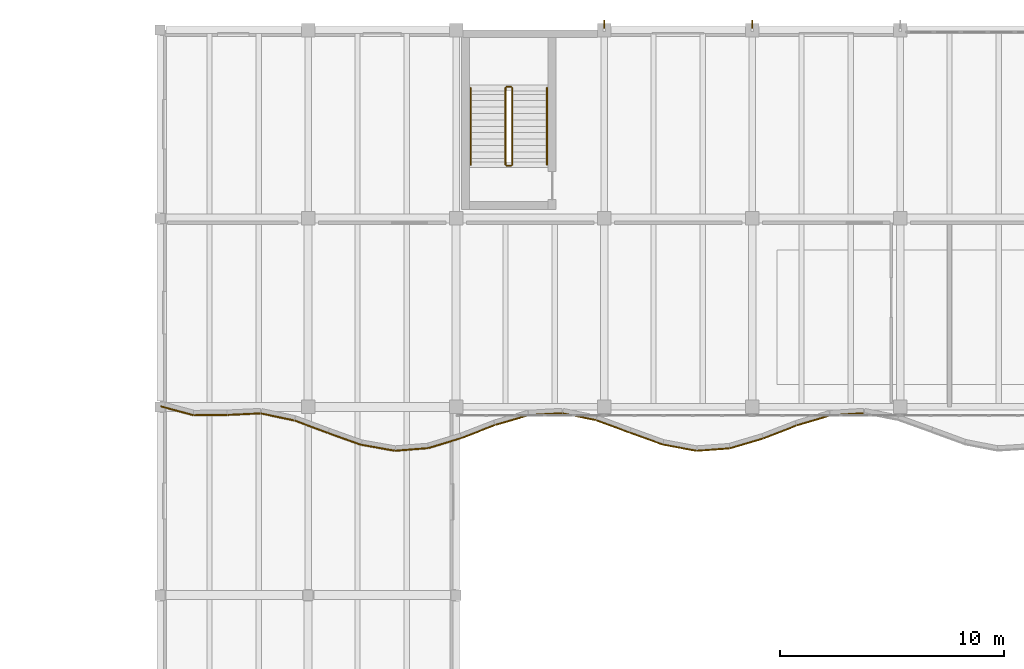
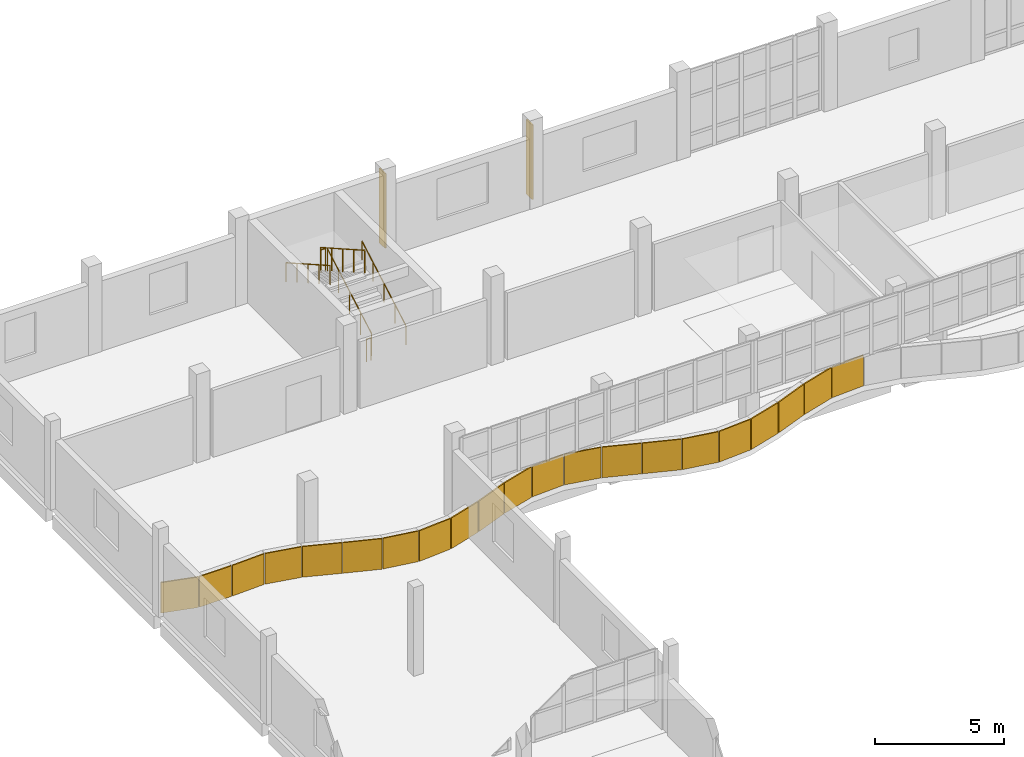
# One storey, part 67 of 74: 21 coverings, 6 railings, 2 shading devices.
"""IFC4 building model written with IfcOpenShell, lengths in metres."""

from ifc_helpers import new_model, si_unit, direction, frame, origin, origin_2d, place, context, subcontext, project, spatial, rectangle, circle, extrude, material, layer, layer_set, type_object, element, save


model = new_model("IFC4")

# Units and contexts
model_context = context("Model", 3, precision=1e-05, world=origin(), true_north=direction((0.0, 1.0)))
body_context = subcontext(model_context, "Body", "Model", "MODEL_VIEW")
ifc_project = project(units=[si_unit("LENGTHUNIT", "METRE"), si_unit("AREAUNIT", "SQUARE_METRE"), si_unit("VOLUMEUNIT", "CUBIC_METRE"), si_unit("PLANEANGLEUNIT", "RADIAN"), si_unit("MASSUNIT", "GRAM", prefix="KILO")], contexts=[model_context])

# Site, building, storey
site_placement = place(None, origin())
site = spatial("IfcSite", under=ifc_project, at=site_placement, CompositionType="ELEMENT")
building_placement = place(site_placement, origin())
building = spatial("IfcBuilding", under=site, at=building_placement, Name="Qaldarim Faculty of Natural and Applied Sciences", CompositionType="ELEMENT")
storey_placement = place(building_placement, frame((0.0, 0.0, 14.39990234375)))
storey = spatial("IfcBuildingStorey", under=building, at=storey_placement, Name="L03", CompositionType="ELEMENT", Elevation=14.39990234375)

# Railings
ifc_material_1 = material(Name="Architectural stainless steel 316", Category="steel")
railing_type_1 = type_object("IfcRailingType", Name="GuardBalustrade-1100", PredefinedType="BALUSTRADE", material=ifc_material_1)
railing_1_placement = place(storey_placement, frame((48.699951171875, 111.60009765625, 0.16015625)))
element("IfcRailing", 1, at=railing_1_placement, inside=storey, type_object=railing_type_1, Name="ST-B2 L03 stair well guard 1", PredefinedType="BALUSTRADE", context=body_context, shape_type="SweptSolid", body=[
    extrude(circle(Radius=0.02392578125, at=origin_2d()), frame((0.0, 0.0, 1.076171875), z_axis=(0.0, 0.869805479697, 0.493394798806), x_axis=(-1.0, 0.0, 0.0)), (0.0, 0.0, 1.0), 3.931884765625),
    extrude(circle(Radius=0.02099609375, at=origin_2d()), origin(), (0.0, 0.0, 1.0), 1.052001953125),
    extrude(circle(Radius=0.02099609375, at=origin_2d()), frame((0.0, 0.85498046875, 0.48486328125)), (0.0, 0.0, 1.0), 1.052001953125),
    extrude(circle(Radius=0.02099609375, at=origin_2d()), frame((0.0, 1.7099609375, 0.969970703125)), (0.0, 0.0, 1.0), 1.052001953125),
    extrude(circle(Radius=0.02099609375, at=origin_2d()), frame((0.0, 2.56494140625, 1.455078125)), (0.0, 0.0, 1.0), 1.052001953125),
    extrude(circle(Radius=0.02099609375, at=origin_2d()), frame((0.0, 3.419921875, 1.93994140625)), (0.0, 0.0, 1.0), 1.052001953125),
])
railing_2_placement = place(storey_placement, frame((48.64990234375, 115.070068359375, 2.10009765625)))
element("IfcRailing", 2, at=railing_2_placement, inside=storey, type_object=railing_type_1, Name="ST-B2 L03 stair well guard 2", PredefinedType="BALUSTRADE", context=body_context, shape_type="SweptSolid", body=[
    extrude(circle(Radius=0.02392578125, at=origin_2d()), frame((0.0, 0.0, 1.076171875), z_axis=(-1.0, 0.0, 0.0), x_axis=(0.0, -1.0, 0.0)), (0.0, 0.0, 1.0), 0.199951171875),
    extrude(circle(Radius=0.02099609375, at=origin_2d()), origin(), (0.0, 0.0, 1.0), 1.052001953125),
    extrude(circle(Radius=0.02099609375, at=origin_2d()), frame((-0.199951171875, 0.0, 0.0)), (0.0, 0.0, 1.0), 1.052001953125),
])
railing_3_placement = place(storey_placement, frame((48.39990234375, 115.02001953125, 2.260009765625)))
element("IfcRailing", 3, at=railing_3_placement, inside=storey, type_object=railing_type_1, Name="ST-B2 L03 stair well guard 3", PredefinedType="BALUSTRADE", context=body_context, shape_type="SweptSolid", body=[
    extrude(circle(Radius=0.02392578125, at=origin_2d()), frame((0.0, 0.0, 1.076171875), z_axis=(0.0, -0.869778831362, 0.493441774189), x_axis=(1.0, 0.0, 0.0)), (0.0, 0.0, 1.0), 3.931884765625),
    extrude(circle(Radius=0.02099609375, at=origin_2d()), origin(), (0.0, 0.0, 1.0), 1.052001953125),
    extrude(circle(Radius=0.02099609375, at=origin_2d()), frame((0.0, -0.85498046875, 0.485107421875)), (0.0, 0.0, 1.0), 1.052001953125),
    extrude(circle(Radius=0.02099609375, at=origin_2d()), frame((0.0, -1.7099609375, 0.97021484375)), (0.0, 0.0, 1.0), 1.052001953125),
    extrude(circle(Radius=0.02099609375, at=origin_2d()), frame((0.0, -2.56494140625, 1.455078125)), (0.0, 0.0, 1.0), 1.052001953125),
    extrude(circle(Radius=0.02099609375, at=origin_2d()), frame((0.0, -3.419921875, 1.940185546875)), (0.0, 0.0, 1.0), 1.052001953125),
])
railing_4_placement = place(storey_placement, frame((48.64990234375, 111.550048828125, 0.0)))
element("IfcRailing", 4, at=railing_4_placement, inside=storey, type_object=railing_type_1, Name="ST-B2 L03 stair well guard 4", PredefinedType="BALUSTRADE", context=body_context, shape_type="SweptSolid", body=[
    extrude(circle(Radius=0.02392578125, at=origin_2d()), frame((0.0, 0.0, 1.076171875), z_axis=(-1.0, 0.0, 0.0), x_axis=(0.0, -1.0, 0.0)), (0.0, 0.0, 1.0), 0.199951171875),
    extrude(circle(Radius=0.02099609375, at=origin_2d()), origin(), (0.0, 0.0, 1.0), 1.052001953125),
    extrude(circle(Radius=0.02099609375, at=origin_2d()), frame((-0.199951171875, 0.0, 0.0)), (0.0, 0.0, 1.0), 1.052001953125),
])

# Coverings
ifc_material_2 = material(Name="White architectural precast concrete C40/50", Category="concrete")
ifc_layer_1 = layer(ifc_material_2, 0.06005859375)
ifc_layer_set_1 = layer_set([ifc_layer_1], Name="White architectural precast concrete C40/50")
covering_type = type_object("IfcCoveringType", Name="LimestoneSpandrelCladding-60", PredefinedType="CLADDING", material=ifc_layer_set_1)
covering_1_placement = place(storey_placement, frame((33.7548828125, 100.625, 0.0), z_axis=(0.0, 0.0, 1.0), x_axis=(0.965208429888, -0.261481714224, 0.0)))
element("IfcCovering", 5, at=covering_1_placement, inside=storey, type_object=covering_type, Name="White limestone wave band fascia L03 chord 01", PredefinedType="CLADDING", context=body_context, shape_type="SweptSolid", body=[
    extrude(rectangle(XDim=1.510009765625, YDim=0.06005859375, at=origin_2d()), origin(), (0.0, 0.0, 1.0), 1.449951171875),
])
for number, where, z_axis, x_axis, name in (
    (6, (35.2451171875, 100.43505859375, 0.0), (0.0, 0.0, 1.0), (0.999949643355, 0.010035474745, 0.0), "White limestone wave band fascia L03 chord 02"),
    (7, (36.739990234375, 100.47509765625, 0.0), (0.0, 0.0, 1.0), (0.99890544113, 0.046775203699, 0.0), "White limestone wave band fascia L03 chord 03"),
):
    element("IfcCovering", number, at=place(storey_placement, frame(where, z_axis=z_axis, x_axis=x_axis)), inside=storey, type_object=covering_type, Name=name, PredefinedType="CLADDING", context=body_context, shape_type="SweptSolid", body=[
        extrude(rectangle(XDim=1.455078125, YDim=0.06005859375, at=origin_2d()), origin(), (0.0, 0.0, 1.0), 1.449951171875),
    ])
covering_2_placement = place(storey_placement, frame((38.235107421875, 100.35009765625, 0.0), z_axis=(0.0, 0.0, 1.0), x_axis=(0.978375620229, -0.206836035888, 0.0)))
element("IfcCovering", 8, at=covering_2_placement, inside=storey, type_object=covering_type, Name="White limestone wave band fascia L03 chord 04", PredefinedType="CLADDING", context=body_context, shape_type="SweptSolid", body=[
    extrude(rectangle(XDim=1.485107421875, YDim=0.06005859375, at=origin_2d()), origin(), (0.0, 0.0, 1.0), 1.449951171875),
])
covering_3_placement = place(storey_placement, frame((39.735107421875, 99.9150390625, 0.0), z_axis=(0.0, 0.0, 1.0), x_axis=(0.937482597106, -0.348032153864, 0.0)))
element("IfcCovering", 9, at=covering_3_placement, inside=storey, type_object=covering_type, Name="White limestone wave band fascia L03 chord 05", PredefinedType="CLADDING", context=body_context, shape_type="SweptSolid", body=[
    extrude(rectangle(XDim=1.554931640625, YDim=0.06005859375, at=origin_2d()), origin(), (0.0, 0.0, 1.0), 1.449951171875),
])
covering_4_placement = place(storey_placement, frame((41.22509765625, 99.3701171875, 0.0), z_axis=(0.0, 0.0, 1.0), x_axis=(0.941529364694, -0.336930935681, 0.0)))
element("IfcCovering", 10, at=covering_4_placement, inside=storey, type_object=covering_type, Name="White limestone wave band fascia L03 chord 06", PredefinedType="CLADDING", context=body_context, shape_type="SweptSolid", body=[
    extrude(rectangle(XDim=1.550048828125, YDim=0.06005859375, at=origin_2d()), origin(), (0.0, 0.0, 1.0), 1.449951171875),
])
covering_5_placement = place(storey_placement, frame((42.719970703125, 98.97509765625, 0.0), z_axis=(0.0, 0.0, 1.0), x_axis=(0.984649749361, -0.174541889194, 0.0)))
element("IfcCovering", 11, at=covering_5_placement, inside=storey, type_object=covering_type, Name="White limestone wave band fascia L03 chord 07", PredefinedType="CLADDING", context=body_context, shape_type="SweptSolid", body=[
    extrude(rectangle(XDim=1.47998046875, YDim=0.06005859375, at=origin_2d()), origin(), (0.0, 0.0, 1.0), 1.449951171875),
])
covering_6_placement = place(storey_placement, frame((44.205078125, 98.89990234375, 0.0), z_axis=(0.0, 0.0, 1.0), x_axis=(0.996794257174, 0.080007555045, 0.0)))
element("IfcCovering", 12, at=covering_6_placement, inside=storey, type_object=covering_type, Name="White limestone wave band fascia L03 chord 08", PredefinedType="CLADDING", context=body_context, shape_type="SweptSolid", body=[
    extrude(rectangle(XDim=1.4599609375, YDim=0.06005859375, at=origin_2d()), origin(), (0.0, 0.0, 1.0), 1.449951171875),
])
covering_7_placement = place(storey_placement, frame((45.695068359375, 99.18505859375, 0.0), z_axis=(0.0, 0.0, 1.0), x_axis=(0.956671405918, 0.291169746193, 0.0)))
element("IfcCovering", 13, at=covering_7_placement, inside=storey, type_object=covering_type, Name="White limestone wave band fascia L03 chord 09", PredefinedType="CLADDING", context=body_context, shape_type="SweptSolid", body=[
    extrude(rectangle(XDim=1.52490234375, YDim=0.06005859375, at=origin_2d()), origin(), (0.0, 0.0, 1.0), 1.449951171875),
])
covering_8_placement = place(storey_placement, frame((47.18505859375, 99.699951171875, 0.0), z_axis=(0.0, 0.0, 1.0), x_axis=(0.932298552786, 0.361689657681, 0.0)))
element("IfcCovering", 14, at=covering_8_placement, inside=storey, type_object=covering_type, Name="White limestone wave band fascia L03 chord 10", PredefinedType="CLADDING", context=body_context, shape_type="SweptSolid", body=[
    extrude(rectangle(XDim=1.56494140625, YDim=0.06005859375, at=origin_2d()), origin(), (0.0, 0.0, 1.0), 1.449951171875),
])
covering_9_placement = place(storey_placement, frame((48.68505859375, 100.2099609375, 0.0), z_axis=(0.0, 0.0, 1.0), x_axis=(0.9601816141, 0.279376570142, 0.0)))
element("IfcCovering", 15, at=covering_9_placement, inside=storey, type_object=covering_type, Name="White limestone wave band fascia L03 chord 11", PredefinedType="CLADDING", context=body_context, shape_type="SweptSolid", body=[
    extrude(rectangle(XDim=1.514892578125, YDim=0.06005859375, at=origin_2d()), origin(), (0.0, 0.0, 1.0), 1.449951171875),
])
covering_10_placement = place(storey_placement, frame((50.179931640625, 100.47509765625, 0.0), z_axis=(0.0, 0.0, 1.0), x_axis=(0.998376794206, 0.056954163946, 0.0)))
element("IfcCovering", 16, at=covering_10_placement, inside=storey, type_object=covering_type, Name="White limestone wave band fascia L03 chord 12", PredefinedType="CLADDING", context=body_context, shape_type="SweptSolid", body=[
    extrude(rectangle(XDim=1.449951171875, YDim=0.06005859375, at=origin_2d()), origin(), (0.0, 0.0, 1.0), 1.449951171875),
])
covering_11_placement = place(storey_placement, frame((51.68505859375, 100.360107421875, 0.0), z_axis=(0.0, 0.0, 1.0), x_axis=(0.979816692763, -0.199898095498, 0.0)))
element("IfcCovering", 17, at=covering_11_placement, inside=storey, type_object=covering_type, Name="White limestone wave band fascia L03 chord 13", PredefinedType="CLADDING", context=body_context, shape_type="SweptSolid", body=[
    extrude(rectangle(XDim=1.485107421875, YDim=0.06005859375, at=origin_2d()), origin(), (0.0, 0.0, 1.0), 1.449951171875),
])
covering_12_placement = place(storey_placement, frame((53.18505859375, 99.929931640625, 0.0), z_axis=(0.0, 0.0, 1.0), x_axis=(0.938505075369, -0.345265439202, 0.0)))
element("IfcCovering", 18, at=covering_12_placement, inside=storey, type_object=covering_type, Name="White limestone wave band fascia L03 chord 14", PredefinedType="CLADDING", context=body_context, shape_type="SweptSolid", body=[
    extrude(rectangle(XDim=1.554931640625, YDim=0.06005859375, at=origin_2d()), origin(), (0.0, 0.0, 1.0), 1.449951171875),
])
covering_13_placement = place(storey_placement, frame((54.679931640625, 99.385009765625, 0.0), z_axis=(0.0, 0.0, 1.0), x_axis=(0.940525527603, -0.339723022369, 0.0)))
element("IfcCovering", 19, at=covering_13_placement, inside=storey, type_object=covering_type, Name="White limestone wave band fascia L03 chord 15", PredefinedType="CLADDING", context=body_context, shape_type="SweptSolid", body=[
    extrude(rectangle(XDim=1.550048828125, YDim=0.06005859375, at=origin_2d()), origin(), (0.0, 0.0, 1.0), 1.449951171875),
])
covering_14_placement = place(storey_placement, frame((56.1650390625, 98.97998046875, 0.0), z_axis=(0.0, 0.0, 1.0), x_axis=(0.982909655114, -0.184088592485, 0.0)))
element("IfcCovering", 20, at=covering_14_placement, inside=storey, type_object=covering_type, Name="White limestone wave band fascia L03 chord 16", PredefinedType="CLADDING", context=body_context, shape_type="SweptSolid", body=[
    extrude(rectangle(XDim=1.47998046875, YDim=0.06005859375, at=origin_2d()), origin(), (0.0, 0.0, 1.0), 1.449951171875),
])
covering_15_placement = place(storey_placement, frame((57.655029296875, 98.89501953125, 0.0), z_axis=(0.0, 0.0, 1.0), x_axis=(0.997304241521, 0.073377447784, 0.0)))
element("IfcCovering", 21, at=covering_15_placement, inside=storey, type_object=covering_type, Name="White limestone wave band fascia L03 chord 17", PredefinedType="CLADDING", context=body_context, shape_type="SweptSolid", body=[
    extrude(rectangle(XDim=1.4599609375, YDim=0.06005859375, at=origin_2d()), origin(), (0.0, 0.0, 1.0), 1.449951171875),
])
covering_16_placement = place(storey_placement, frame((59.14501953125, 99.169921875, 0.0), z_axis=(0.0, 0.0, 1.0), x_axis=(0.958442159252, 0.285286921132, 0.0)))
element("IfcCovering", 22, at=covering_16_placement, inside=storey, type_object=covering_type, Name="White limestone wave band fascia L03 chord 18", PredefinedType="CLADDING", context=body_context, shape_type="SweptSolid", body=[
    extrude(rectangle(XDim=1.52001953125, YDim=0.06005859375, at=origin_2d()), origin(), (0.0, 0.0, 1.0), 1.449951171875),
])
covering_17_placement = place(storey_placement, frame((60.635009765625, 99.679931640625, 0.0), z_axis=(0.0, 0.0, 1.0), x_axis=(0.931887629035, 0.362747083863, 0.0)))
element("IfcCovering", 23, at=covering_17_placement, inside=storey, type_object=covering_type, Name="White limestone wave band fascia L03 chord 19", PredefinedType="CLADDING", context=body_context, shape_type="SweptSolid", body=[
    extrude(rectangle(XDim=1.56005859375, YDim=0.06005859375, at=origin_2d()), origin(), (0.0, 0.0, 1.0), 1.449951171875),
])
covering_18_placement = place(storey_placement, frame((62.1298828125, 100.195068359375, 0.0), z_axis=(0.0, 0.0, 1.0), x_axis=(0.958442159252, 0.285286921132, 0.0)))
element("IfcCovering", 24, at=covering_18_placement, inside=storey, type_object=covering_type, Name="White limestone wave band fascia L03 chord 20", PredefinedType="CLADDING", context=body_context, shape_type="SweptSolid", body=[
    extrude(rectangle(XDim=1.52001953125, YDim=0.06005859375, at=origin_2d()), origin(), (0.0, 0.0, 1.0), 1.449951171875),
])
covering_19_placement = place(storey_placement, frame((63.6298828125, 100.469970703125, 0.0), z_axis=(0.0, 0.0, 1.0), x_axis=(0.997987078981, 0.063417585781, 0.0)))
element("IfcCovering", 25, at=covering_19_placement, inside=storey, type_object=covering_type, Name="White limestone wave band fascia L03 chord 21", PredefinedType="CLADDING", context=body_context, shape_type="SweptSolid", body=[
    extrude(rectangle(XDim=1.4599609375, YDim=0.06005859375, at=origin_2d()), origin(), (0.0, 0.0, 1.0), 1.449951171875),
])

# Railings
railing_type_2 = type_object("IfcRailingType", Name="StairHandrail-920", PredefinedType="HANDRAIL", material=ifc_material_1)
railing_5_placement = place(storey_placement, frame((50.25, 111.60009765625, 0.16015625)))
element("IfcRailing", 26, at=railing_5_placement, inside=storey, type_object=railing_type_2, Name="ST-B2 L03 stair handrail 1", PredefinedType="HANDRAIL", context=body_context, shape_type="SweptSolid", body=[
    extrude(circle(Radius=0.02392578125, at=origin_2d()), frame((0.0, 0.0, 0.89599609375), z_axis=(0.0, 0.869805479697, 0.493394798806), x_axis=(-1.0, 0.0, 0.0)), (0.0, 0.0, 1.0), 3.931884765625),
    extrude(circle(Radius=0.02099609375, at=origin_2d()), origin(), (0.0, 0.0, 1.0), 0.871826171875),
    extrude(circle(Radius=0.02099609375, at=origin_2d()), frame((0.0, 0.85498046875, 0.48486328125)), (0.0, 0.0, 1.0), 0.871826171875),
    extrude(circle(Radius=0.02099609375, at=origin_2d()), frame((0.0, 1.7099609375, 0.969970703125)), (0.0, 0.0, 1.0), 0.871826171875),
    extrude(circle(Radius=0.02099609375, at=origin_2d()), frame((0.0, 2.56494140625, 1.455078125)), (0.0, 0.0, 1.0), 0.871826171875),
    extrude(circle(Radius=0.02099609375, at=origin_2d()), frame((0.0, 3.419921875, 1.93994140625)), (0.0, 0.0, 1.0), 0.871826171875),
])
railing_6_placement = place(storey_placement, frame((46.85009765625, 115.02001953125, 2.260009765625)))
element("IfcRailing", 27, at=railing_6_placement, inside=storey, type_object=railing_type_2, Name="ST-B2 L03 stair handrail 2", PredefinedType="HANDRAIL", context=body_context, shape_type="SweptSolid", body=[
    extrude(circle(Radius=0.02392578125, at=origin_2d()), frame((0.0, 0.0, 0.89599609375), z_axis=(0.0, -0.869778831362, 0.493441774189), x_axis=(1.0, 0.0, 0.0)), (0.0, 0.0, 1.0), 3.931884765625),
    extrude(circle(Radius=0.02099609375, at=origin_2d()), origin(), (0.0, 0.0, 1.0), 0.871826171875),
    extrude(circle(Radius=0.02099609375, at=origin_2d()), frame((0.0, -0.85498046875, 0.485107421875)), (0.0, 0.0, 1.0), 0.871826171875),
    extrude(circle(Radius=0.02099609375, at=origin_2d()), frame((0.0, -1.7099609375, 0.97021484375)), (0.0, 0.0, 1.0), 0.871826171875),
    extrude(circle(Radius=0.02099609375, at=origin_2d()), frame((0.0, -2.56494140625, 1.455078125)), (0.0, 0.0, 1.0), 0.871826171875),
    extrude(circle(Radius=0.02099609375, at=origin_2d()), frame((0.0, -3.419921875, 1.940185546875)), (0.0, 0.0, 1.0), 0.871826171875),
])

# Shading devices
ifc_material_3 = material(Name="Champagne anodised aluminium AW-6063", Category="aluminium")
ifc_layer_2 = layer(ifc_material_3, 0.06005859375)
ifc_layer_set_2 = layer_set([ifc_layer_2], Name="Champagne anodised aluminium AW-6063")
shading_device_type = type_object("IfcShadingDeviceType", Name="VerticalSunFin-ALU450x60", PredefinedType="SHUTTER", material=ifc_layer_set_2)
for number, where, z_axis, x_axis, name in (
    (28, (52.800048828125, 117.824951171875, 0.2001953125), (0.0, 0.0, 1.0), (1.0, 0.0, 0.0), "North pier fin FIN-V4N-L03-X09"),
    (29, (59.39990234375, 117.824951171875, 0.2001953125), (0.0, 0.0, 1.0), (1.0, 0.0, 0.0), "North pier fin FIN-V4N-L03-X10"),
):
    element("IfcShadingDevice", number, at=place(storey_placement, frame(where, z_axis=z_axis, x_axis=x_axis)), inside=storey, type_object=shading_device_type, Name=name, PredefinedType="SHUTTER", context=body_context, shape_type="SweptSolid", body=[
        extrude(rectangle(XDim=0.06005859375, YDim=0.449951171875, at=origin_2d()), origin(), (0.0, 0.0, 1.0), 3.5400390625),
    ])

save(model, "model.ifc")
